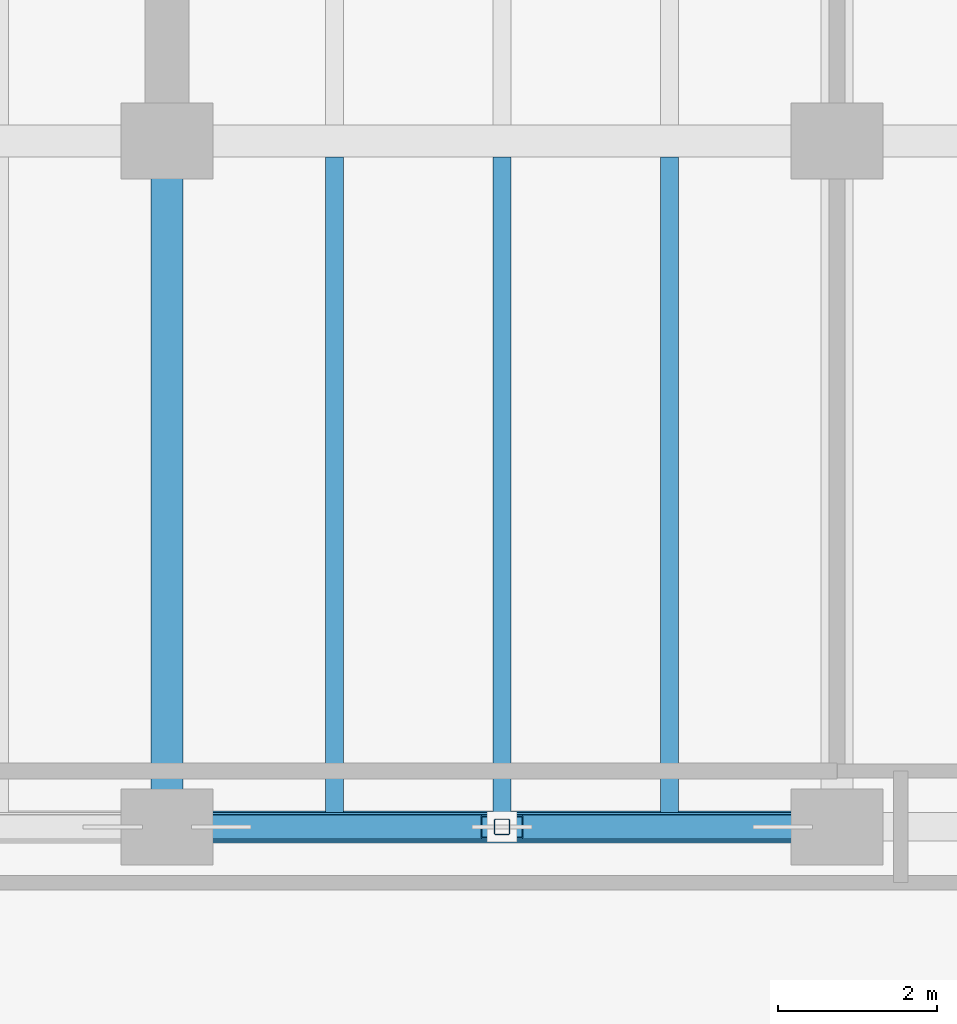
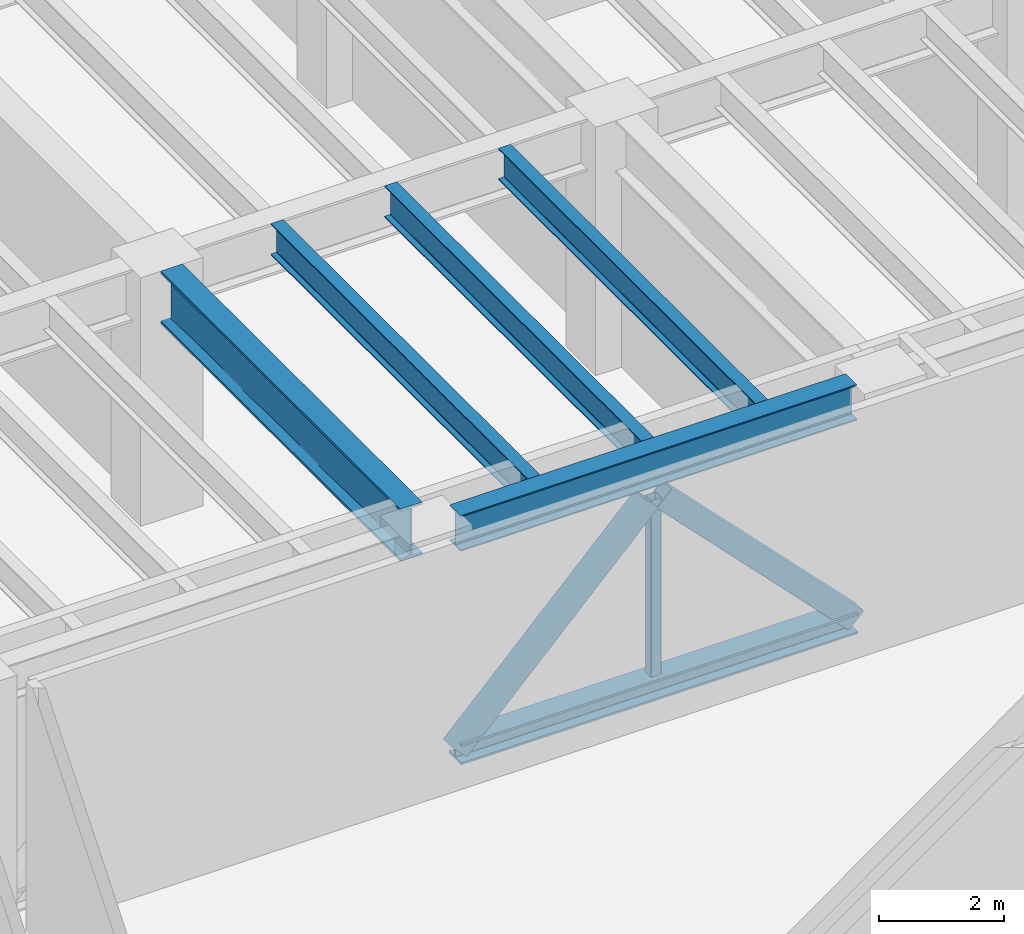
# One storey, part 3 of 21: 6 beams, 3 members.
"""IFC4 building model written with IfcOpenShell, lengths in metres."""

import ifcopenshell
import ifcopenshell.guid

model = None  # the IFC model being written
_history = None  # IfcOwnerHistory: only IFC2X3 demands one
_inside = {}  # id of a spatial element -> (the spatial element, [elements in it])
_under = {}  # id of a project, library or spatial element -> (it, [spatial elements below it])
_declared = {}  # id of a project -> (the project, [libraries it declares])
_typed = {}  # id of a type object -> (the type object, [elements of that type])
_made_of = {}  # id of a material, layer set ... -> (it, [elements and type objects made of it])


def new_model(schema):
    """Start an empty IFC model of exactly this schema.

    Asked for "IFC4X3", IfcOpenShell would pick the latest addendum, in which some entities
    have other attributes; the version numbers below select the first issue.
    IFC2X3 requires an IfcOwnerHistory on every rooted entity: one is made here for all.
    """
    global model, _history
    if schema == "IFC4X3":
        model = ifcopenshell.file(schema_version=(4, 3, 0, 0))
    else:
        model = ifcopenshell.file(schema=schema)
    _inside.clear()
    _under.clear()
    _declared.clear()
    _typed.clear()
    _made_of.clear()
    _history = None
    if model.schema == "IFC2X3":
        org = make("IfcOrganization", Name="unknown")
        user = make(
            "IfcPersonAndOrganization",
            ThePerson=make("IfcPerson", FamilyName="unknown"),
            TheOrganization=org,
        )
        app = make(
            "IfcApplication",
            ApplicationDeveloper=org,
            Version="unknown",
            ApplicationFullName="unknown",
            ApplicationIdentifier="unknown",
        )
        _history = make(
            "IfcOwnerHistory",
            OwningUser=user,
            OwningApplication=app,
            ChangeAction="ADDED",
            CreationDate=0,
        )
    return model


def make(cls, **values):
    """One entity of the class cls with the attributes given. An attribute that is None is left unset."""
    return model.create_entity(
        cls, **{name: value for name, value in values.items() if value is not None}
    )


def rooted(cls, **values):
    """An entity with a GlobalId (a new one), such as an element, a storey or a relation."""
    return make(cls, GlobalId=ifcopenshell.guid.new(), OwnerHistory=_history, **values)


def si_unit(unit_type, name, prefix=None):
    """IfcSIUnit, for example si_unit("LENGTHUNIT", "METRE", prefix="MILLI")."""
    return make("IfcSIUnit", UnitType=unit_type, Prefix=prefix, Name=name)


def assignment(units):
    """IfcUnitAssignment: the units of a project."""
    return None if units is None else make("IfcUnitAssignment", Units=units)


def point(xyz):
    """IfcCartesianPoint."""
    return None if xyz is None else make("IfcCartesianPoint", Coordinates=xyz)


def direction(xyz):
    """IfcDirection."""
    return None if xyz is None else make("IfcDirection", DirectionRatios=xyz)


def frame(location, z_axis=None, x_axis=None):
    """IfcAxis2Placement3D, a coordinate frame: its origin and axes. An axis left out is left unset."""
    return make(
        "IfcAxis2Placement3D",
        Location=point(location),
        Axis=direction(z_axis),
        RefDirection=direction(x_axis),
    )


def frame_2d(location, x_axis=None):
    """IfcAxis2Placement2D, a coordinate frame in the plane: its origin and x axis."""
    return make(
        "IfcAxis2Placement2D", Location=point(location), RefDirection=direction(x_axis)
    )


def origin():
    """The frame at (0, 0, 0) with its axes left unset."""
    return frame((0.0, 0.0, 0.0))


def origin_2d():
    """The frame at (0, 0) in the plane with its x axis left unset."""
    return frame_2d((0.0, 0.0))


def place(relative_to, where):
    """IfcLocalPlacement: puts the frame where relative to a parent placement (None: the world)."""
    return make(
        "IfcLocalPlacement", PlacementRelTo=relative_to, RelativePlacement=where
    )


def context(
    kind, dimensions, precision=None, world=None, true_north=None, identifier=None
):
    """IfcGeometricRepresentationContext, for example the 3D "Model" context."""
    return make(
        "IfcGeometricRepresentationContext",
        ContextIdentifier=identifier,
        ContextType=kind,
        CoordinateSpaceDimension=dimensions,
        Precision=precision,
        WorldCoordinateSystem=world,
        TrueNorth=true_north,
    )


def subcontext(parent, identifier, kind, view, scale=None):
    """IfcGeometricRepresentationSubContext, for example "Body" below "Model"."""
    return make(
        "IfcGeometricRepresentationSubContext",
        ContextIdentifier=identifier,
        ContextType=kind,
        ParentContext=parent,
        TargetScale=scale,
        TargetView=view,
    )


def project(units=None, contexts=None):
    """IfcProject with its units and contexts."""
    return rooted(
        "IfcProject",
        Name="project",
        RepresentationContexts=contexts,
        UnitsInContext=assignment(units),
    )


def spatial(cls, under=None, at=None, **own):
    """A site, building, storey or space (cls), placed at a placement, below another one or the project."""
    s = rooted(cls, ObjectPlacement=at, **own)
    if under is not None:
        _under.setdefault(under.id(), (under, []))[1].append(s)
    return s


def profile(cls, at=None, kind="AREA", **sizes):
    """A parametric profile (cls). Its sizes go by their IFC names, for example OverallWidth=200.0."""
    return make(cls, ProfileType=kind, Position=at, **sizes)


def hollow_rectangle(**sizes):
    """IfcRectangleHollowProfileDef."""
    return profile("IfcRectangleHollowProfileDef", **sizes)


def i_section(**sizes):
    """IfcIShapeProfileDef."""
    return profile("IfcIShapeProfileDef", **sizes)


def extrude(swept, where, along, depth):
    """IfcExtrudedAreaSolid: the profile swept, set in the frame where, extruded along a direction by depth."""
    return make(
        "IfcExtrudedAreaSolid",
        SweptArea=swept,
        Position=where,
        ExtrudedDirection=direction(along),
        Depth=depth,
    )


def shape(context_of_items, identifier, shape_type, items):
    """IfcShapeRepresentation: the items that make up one representation, for example the "Body"."""
    return make(
        "IfcShapeRepresentation",
        ContextOfItems=context_of_items,
        RepresentationIdentifier=identifier,
        RepresentationType=shape_type,
        Items=items,
    )


def material(Name=None, Category=None):
    """IfcMaterial."""
    return make("IfcMaterial", Name=Name, Category=Category)


def material_profile(
    of_material, cross_section, Name=None, Category=None, Priority=None
):
    """IfcMaterialProfile: a cross section and its material."""
    return make(
        "IfcMaterialProfile",
        Name=Name,
        Material=of_material,
        Profile=cross_section,
        Priority=Priority,
        Category=Category,
    )


def profile_set(profiles, Name=None, composite=None):
    """IfcMaterialProfileSet."""
    return make(
        "IfcMaterialProfileSet",
        Name=Name,
        MaterialProfiles=profiles,
        CompositeProfile=composite,
    )


def made_of(thing, what):
    """Note that an element or type object is made of a material, layer set ...; save() writes the relation."""
    if what is not None:
        _made_of.setdefault(what.id(), (what, []))[1].append(thing)
    return thing


def type_object(cls, material=None, **own):
    """A type object (cls), such as IfcWallType, which elements share."""
    return made_of(rooted(cls, **own), material)


def element(
    cls,
    number,
    at=None,
    inside=None,
    cuts=None,
    type_object=None,
    material=None,
    context=None,
    identifier="Body",
    shape_type=None,
    held_by="IfcProductDefinitionShape",
    body=None,
    shapes=None,
    **own,
):
    """One element of the class cls, such as IfcWall. Its Tag is "e" and its number.

    at: its placement. inside: the storey or other place that contains it. cuts: it is an
    opening in that element (IfcRelVoidsElement). A single representation is given by context,
    identifier, shape_type and body (its items); several are given by shapes. held_by: the class
    of the entity that holds the representations. save() writes the other relations.
    """
    e = rooted(cls, Tag="e%d" % number, ObjectPlacement=at, **own)
    if body is not None:
        shapes = [shape(context, identifier, shape_type, body)]
    if shapes is not None:
        e.Representation = make(held_by, Representations=shapes)
    if inside is not None:
        _inside.setdefault(inside.id(), (inside, []))[1].append(e)
    if cuts is not None:
        rooted(
            "IfcRelVoidsElement", RelatingBuildingElement=cuts, RelatedOpeningElement=e
        )
    if type_object is not None:
        _typed.setdefault(type_object.id(), (type_object, []))[1].append(e)
    return made_of(e, material)


def aggregate(whole, parts):
    """IfcRelAggregates: a whole, such as a stair, and the parts it consists of."""
    return rooted("IfcRelAggregates", RelatingObject=whole, RelatedObjects=parts)


def save(model, path):
    """Write the relations noted so far, then the file.

    IfcRelAggregates (storeys below a building ...), IfcRelContainedInSpatialStructure (elements
    in a storey), IfcRelDefinesByType, IfcRelAssociatesMaterial and IfcRelDeclares: one each for
    every whole, place, type object, material and project.
    """
    for whole, parts in _under.values():
        aggregate(whole, parts)
    for where, things in _inside.values():
        rooted(
            "IfcRelContainedInSpatialStructure",
            RelatedElements=things,
            RelatingStructure=where,
        )
    for kind, things in _typed.values():
        rooted("IfcRelDefinesByType", RelatedObjects=things, RelatingType=kind)
    for what, things in _made_of.values():
        rooted("IfcRelAssociatesMaterial", RelatedObjects=things, RelatingMaterial=what)
    for by, libraries in _declared.values():
        rooted("IfcRelDeclares", RelatingContext=by, RelatedDefinitions=libraries)
    model.write(path)


model = new_model("IFC4")

# Units and contexts
model_context = context("Model", 3, precision=1e-05, world=origin(), true_north=direction((0.0, 1.0)))
body_context = subcontext(model_context, "Body", "Model", "MODEL_VIEW")
ifc_project = project(units=[si_unit("LENGTHUNIT", "METRE"), si_unit("AREAUNIT", "SQUARE_METRE"), si_unit("VOLUMEUNIT", "CUBIC_METRE"), si_unit("PLANEANGLEUNIT", "RADIAN"), si_unit("MASSUNIT", "GRAM", prefix="KILO")], contexts=[model_context])

# Site, building, storey
site_placement = place(None, origin())
site = spatial("IfcSite", under=ifc_project, at=site_placement, CompositionType="ELEMENT")
building_placement = place(site_placement, origin())
building = spatial("IfcBuilding", under=site, at=building_placement, Name="Caelmar Bay Residences", CompositionType="ELEMENT")
storey_placement = place(building_placement, frame((0.0, 0.0, 79.5)))
storey = spatial("IfcBuildingStorey", under=building, at=storey_placement, Name="L21", CompositionType="ELEMENT", Elevation=79.5)

# Beams
ifc_material_1 = material(Name="Steel ASTM A992 Grade 50", Category="steel")
ifc_material_profile_1 = material_profile(ifc_material_1, i_section(OverallWidth=0.40087890625, OverallDepth=0.39892578125, WebThickness=0.02490234375, FlangeThickness=0.03955078125, FilletRadius=0.01513671875, at=origin_2d()), Name="W14X211")
ifc_profile_set_1 = profile_set([ifc_material_profile_1], Name="Steel ASTM A992 Grade 50")
beam_type_1 = type_object("IfcBeamType", Name="BM-CHD-W14X211", PredefinedType="BEAM", material=ifc_profile_set_1)
beam_1_placement = place(storey_placement, frame((27.239990234375, 12.199951171875, 0.199462890625), z_axis=(1.0, 0.0, 0.0), x_axis=(0.0, 1.0, 0.0)))
element("IfcBeam", 1, at=beam_1_placement, inside=storey, type_object=beam_type_1, Name="L21 Belt-Truss Bottom Chord 2", PredefinedType="BEAM", context=body_context, shape_type="SweptSolid", body=[
    extrude(i_section(OverallWidth=0.40087890625, OverallDepth=0.39892578125, WebThickness=0.02490234375, FlangeThickness=0.03955078125, FilletRadius=0.01513671875, at=origin_2d()), origin(), (0.0, 0.0, 1.0), 7.320068359375),
])
ifc_material_profile_2 = material_profile(ifc_material_1, i_section(OverallWidth=0.404052734375, OverallDepth=1.02099609375, WebThickness=0.025390625, FlangeThickness=0.0458984375, FilletRadius=0.02294921875, at=origin_2d()), Name="W40X324")
ifc_profile_set_2 = profile_set([ifc_material_profile_2], Name="Steel ASTM A992 Grade 50")
beam_type_2 = type_object("IfcBeamType", Name="BM-GRD-W40X324", PredefinedType="BEAM", material=ifc_profile_set_2)
beam_2_placement = place(storey_placement, frame((26.699951171875, 12.6650390625, 4.339599609375), z_axis=(0.0, 1.0, 0.0), x_axis=(-1.0, 0.0, 0.0)))
element("IfcBeam", 2, at=beam_2_placement, inside=storey, type_object=beam_type_2, Name="L21 North-South Girder X=26.70 (12.2-20.8)", PredefinedType="BEAM", context=body_context, shape_type="SweptSolid", body=[
    extrude(i_section(OverallWidth=0.404052734375, OverallDepth=1.02099609375, WebThickness=0.025390625, FlangeThickness=0.0458984375, FilletRadius=0.02294921875, at=origin_2d()), origin(), (0.0, 0.0, 1.0), 7.669921875),
])
ifc_material_profile_3 = material_profile(ifc_material_1, i_section(OverallWidth=0.22900390625, OverallDepth=0.612060546875, WebThickness=0.011962890625, FlangeThickness=0.01953125, FilletRadius=0.0126953125, at=origin_2d()), Name="W24X84")
ifc_profile_set_3 = profile_set([ifc_material_profile_3], Name="Steel ASTM A992 Grade 50")
beam_type_3 = type_object("IfcBeamType", Name="BM-JST-W24X84", PredefinedType="JOIST", material=ifc_profile_set_3)
for number, where, z_axis, x_axis, name in (
    (3, (28.800048828125, 12.3779296875, 4.5439453125), (0.0, 1.0, 0.0), (-1.0, 0.0, 0.0), "L21 Composite Floor Joist 7"),
    (4, (30.89990234375, 12.3779296875, 4.5439453125), (0.0, 1.0, 0.0), (-1.0, 0.0, 0.0), "L21 Composite Floor Joist 8"),
    (5, (33.0, 12.3779296875, 4.5439453125), (0.0, 1.0, 0.0), (-1.0, 0.0, 0.0), "L21 Composite Floor Joist 9"),
):
    element("IfcBeam", number, at=place(storey_placement, frame(where, z_axis=z_axis, x_axis=x_axis)), inside=storey, type_object=beam_type_3, Name=name, PredefinedType="JOIST", context=body_context, shape_type="SweptSolid", body=[
        extrude(i_section(OverallWidth=0.22900390625, OverallDepth=0.612060546875, WebThickness=0.011962890625, FlangeThickness=0.01953125, FilletRadius=0.0126953125, at=origin_2d()), origin(), (0.0, 0.0, 1.0), 8.219970703125),
    ])
ifc_material_profile_4 = material_profile(ifc_material_1, i_section(OverallWidth=0.35595703125, OverallDepth=0.696044921875, WebThickness=0.015380859375, FlangeThickness=0.02490234375, FilletRadius=0.01513671875, at=origin_2d()), Name="W27X146")
ifc_profile_set_4 = profile_set([ifc_material_profile_4], Name="Steel ASTM A992 Grade 50")
beam_type_4 = type_object("IfcBeamType", Name="BM-SPN-W27X146", PredefinedType="SPANDREL", material=ifc_profile_set_4)
beam_3_placement = place(storey_placement, frame((27.239990234375, 12.199951171875, 4.501953125), z_axis=(1.0, 0.0, 0.0), x_axis=(0.0, 1.0, 0.0)))
element("IfcBeam", 6, at=beam_3_placement, inside=storey, type_object=beam_type_4, Name="L21 East-West Girder Y=12.20 (26.7-35.1)", PredefinedType="SPANDREL", context=body_context, shape_type="SweptSolid", body=[
    extrude(i_section(OverallWidth=0.35595703125, OverallDepth=0.696044921875, WebThickness=0.015380859375, FlangeThickness=0.02490234375, FilletRadius=0.01513671875, at=origin_2d()), origin(), (0.0, 0.0, 1.0), 7.320068359375),
])

# Members
ifc_material_2 = material(Name="Steel ASTM A500 Grade C", Category="steel")
ifc_material_profile_5 = material_profile(ifc_material_2, hollow_rectangle(XDim=0.304931640625, YDim=0.406005859375, WallThickness=0.017578125, InnerFilletRadius=0.017578125, OuterFilletRadius=0.035400390625, at=origin_2d()), Name="HSS400X300X19.1")
ifc_profile_set_5 = profile_set([ifc_material_profile_5], Name="Steel ASTM A500 Grade C")
member_type_1 = type_object("IfcMemberType", Name="MEM-BRC-HSS400X300", PredefinedType="BRACE", material=ifc_profile_set_5)
for number, where, z_axis, x_axis, name in (
    (7, (27.239990234375, 12.199951171875, 0.219970703125), (0.698769347528, 0.0, 0.715347047911), (0.0, 1.0, 0.0), "L21 Belt-Truss Chevron 2A"),
    (8, (34.56005859375, 12.199951171875, 0.219970703125), (-0.698769347528, 0.0, 0.715347047911), (0.0, -1.0, 0.0), "L21 Belt-Truss Chevron 2B"),
):
    element("IfcMember", number, at=place(storey_placement, frame(where, z_axis=z_axis, x_axis=x_axis)), inside=storey, type_object=member_type_1, Name=name, PredefinedType="BRACE", context=body_context, shape_type="SweptSolid", body=[
        extrude(hollow_rectangle(XDim=0.304931640625, YDim=0.406005859375, WallThickness=0.017578125, InnerFilletRadius=0.017578125, OuterFilletRadius=0.035400390625, at=origin_2d()), origin(), (0.0, 0.0, 1.0), 5.066162109375),
    ])
ifc_material_profile_6 = material_profile(ifc_material_2, hollow_rectangle(XDim=0.202880859375, YDim=0.202880859375, WallThickness=0.01171875, InnerFilletRadius=0.01171875, OuterFilletRadius=0.023681640625, at=origin_2d()), Name="HSS200X200X12.7")
ifc_profile_set_6 = profile_set([ifc_material_profile_6], Name="Steel ASTM A500 Grade C")
member_type_2 = type_object("IfcMemberType", Name="MEM-PST-HSS200", PredefinedType="POST", material=ifc_profile_set_6)
member_placement = place(storey_placement, frame((30.89990234375, 12.199951171875, 0.39892578125), z_axis=(0.0, 0.0, 1.0), x_axis=(1.0, 0.0, 0.0)))
element("IfcMember", 9, at=member_placement, inside=storey, type_object=member_type_2, Name="L21 Belt-Truss Vertical Post 2", PredefinedType="POST", context=body_context, shape_type="SweptSolid", body=[
    extrude(hollow_rectangle(XDim=0.202880859375, YDim=0.202880859375, WallThickness=0.01171875, InnerFilletRadius=0.01171875, OuterFilletRadius=0.023681640625, at=origin_2d()), origin(), (0.0, 0.0, 1.0), 3.445068359375),
])

save(model, "model.ifc")
